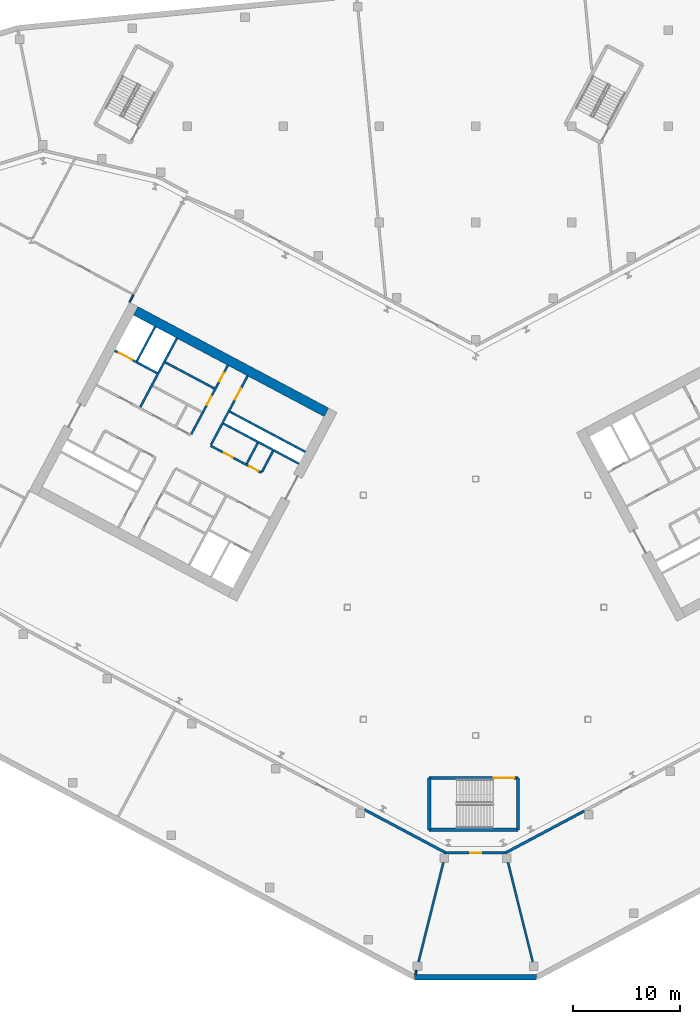
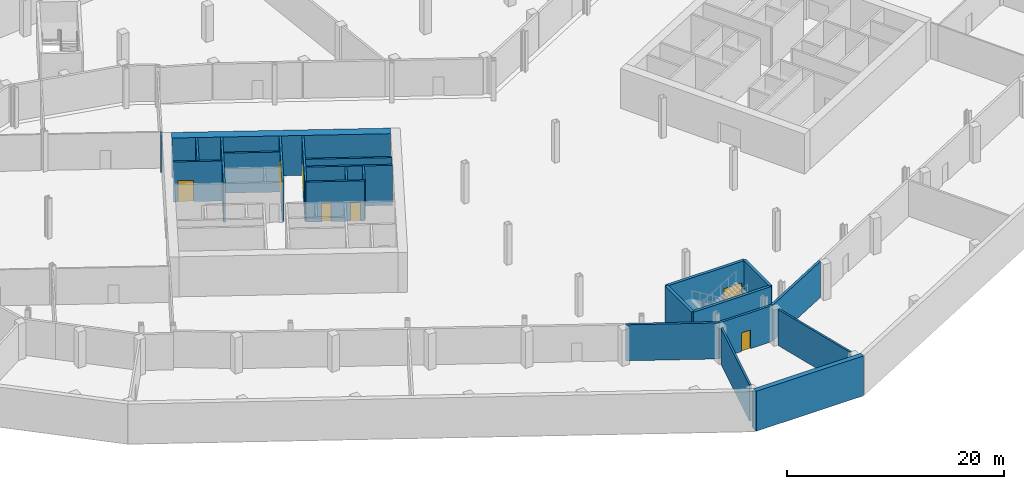
# One storey, part 10 of 27: 24 walls, 8 doors, 8 openings.
"""IFC4 building model written with IfcOpenShell, lengths in metres."""

from ifc_helpers import new_model, si_unit, direction, frame, frame_2d, origin, place, context, subcontext, project, spatial, rectangle, extrude, material, layer, layer_set, type_object, element, fill, save


model = new_model("IFC4")

# Units and contexts
model_context = context("Model", 3, precision=1e-05, world=origin(), true_north=direction((0.0, 1.0)))
body_context = subcontext(model_context, "Body", "Model", "MODEL_VIEW")
ifc_project = project(units=[si_unit("LENGTHUNIT", "METRE"), si_unit("AREAUNIT", "SQUARE_METRE"), si_unit("VOLUMEUNIT", "CUBIC_METRE"), si_unit("PLANEANGLEUNIT", "RADIAN"), si_unit("MASSUNIT", "GRAM", prefix="KILO")], contexts=[model_context])

# Site, building, storey
site_placement = place(None, origin())
site = spatial("IfcSite", under=ifc_project, at=site_placement, CompositionType="ELEMENT")
building_placement = place(site_placement, origin())
building = spatial("IfcBuilding", under=site, at=building_placement, Name="Cormorant Relay Tower", CompositionType="ELEMENT")
storey_placement = place(building_placement, frame((0.0, 0.0, -4.5)))
storey = spatial("IfcBuildingStorey", under=building, at=storey_placement, Name="B1", CompositionType="ELEMENT", Elevation=-4.5)

# Walls
ifc_material_1 = material(Name="Concrete 40 MPa", Category="concrete")
ifc_layer_1 = layer(ifc_material_1, 0.199951171875)
ifc_layer_set_1 = layer_set([ifc_layer_1], Name="Core internal wall 200")
wall_type_1 = type_object("IfcWallType", Name="Core internal wall 200", PredefinedType="SOLIDWALL", material=ifc_layer_set_1)
wall_1_placement = place(storey_placement, frame((-20.39013671875, 15.371826171875, 0.0), z_axis=(0.0, 0.0, 1.0), x_axis=(-0.4694473164, -0.882960484464, 0.0)))
element("IfcWall", 1, at=wall_1_placement, inside=storey, type_object=wall_type_1, Name="B1 core A shaft and room wall", PredefinedType="SOLIDWALL", context=body_context, shape_type="SweptSolid", body=[
    extrude(rectangle(XDim=2.199951171875, YDim=0.199951171875, at=frame_2d((1.10009765625, 0.0))), origin(), (0.0, 0.0, 1.0), 4.5),
])
wall_2_placement = place(storey_placement, frame((-24.449462890625, 20.474853515625, 0.0), z_axis=(0.0, 0.0, 1.0), x_axis=(-0.882934506056, 0.469496174655, 0.0)))
element("IfcWall", 2, at=wall_2_placement, inside=storey, type_object=wall_type_1, Name="B1 core A shaft and room wall", PredefinedType="SOLIDWALL", context=body_context, shape_type="SweptSolid", body=[
    extrude(rectangle(XDim=5.199951171875, YDim=0.199951171875, at=frame_2d((2.60009765625, 0.0))), origin(), (0.0, 0.0, 1.0), 4.5),
])
ifc_material_2 = material(Name="Concrete 50 MPa", Category="concrete")
ifc_layer_2 = layer(ifc_material_2, 0.199951171875)
ifc_layer_set_2 = layer_set([ifc_layer_2], Name="Core shaft wall 200")
wall_type_2 = type_object("IfcWallType", Name="Core shaft wall 200", PredefinedType="SHEAR", material=ifc_layer_set_2)
wall_3_placement = place(storey_placement, frame((-18.959716796875, 14.611328125, 0.0), z_axis=(0.0, 0.0, 1.0), x_axis=(-0.4694473164, -0.882960484464, 0.0)))
element("IfcWall", 3, at=wall_3_placement, inside=storey, type_object=wall_type_2, Name="B1 core A shaft wall", PredefinedType="SHEAR", context=body_context, shape_type="SweptSolid", body=[
    extrude(rectangle(XDim=2.199951171875, YDim=0.199951171875, at=frame_2d((1.10009765625, 0.0))), origin(), (0.0, 0.0, 1.0), 4.5),
])

# Wall, opening, door
wall_4_placement = place(storey_placement, frame((-21.333251953125, 21.6494140625, 0.0), z_axis=(0.0, 0.0, 1.0), x_axis=(-0.469494272526, -0.882935517501, 0.0)))
wall_4 = element("IfcWall", 4, at=wall_4_placement, inside=storey, type_object=wall_type_2, Name="B1 core A shaft wall", PredefinedType="SHEAR", context=body_context, shape_type="SweptSolid", body=[
    extrude(rectangle(XDim=7.2998046875, YDim=0.199951171875, at=frame_2d((3.64990234375, 0.0))), origin(), (0.0, 0.0, 1.0), 4.5),
])
opening_1_placement = place(wall_4_placement, frame((1.300048828125, 0.0, 0.0)))
opening_1 = element("IfcOpeningElement", 5, at=opening_1_placement, cuts=wall_4, Name="Opening CDB-001", PredefinedType="OPENING", context=body_context, shape_type="SweptSolid", body=[
    extrude(rectangle(XDim=1.199951171875, YDim=2.10009765625, at=frame_2d((0.60009765625, 1.050048828125))), frame((0.0, 0.10986328125, 0.0), z_axis=(0.0, -1.0, 0.0), x_axis=(1.0, 0.0, 0.0)), (0.0, 0.0, 1.0), 0.219970703125),
])
ifc_material_3 = material(Name="Steel fire door", Category="steel")
door_type_1 = type_object("IfcDoorType", Name="Core stair door 1200x2100", OperationType="SINGLE_SWING_LEFT", PredefinedType="DOOR", material=ifc_material_3)
door_1_placement = place(opening_1_placement, origin())
door_1 = element("IfcDoor", 6, at=door_1_placement, inside=storey, type_object=door_type_1, Name="Core stair door 1200x2100", OperationType="SINGLE_SWING_RIGHT", OverallHeight=2.10009765625, OverallWidth=1.199951171875, PredefinedType="DOOR", context=body_context, shape_type="SweptSolid", body=[
    extrude(rectangle(XDim=1.199951171875, YDim=2.10009765625, at=frame_2d((0.60009765625, 1.050048828125))), frame((0.0, 0.02490234375, 0.0), z_axis=(0.0, -1.0, 0.0), x_axis=(1.0, 0.0, 0.0)), (0.0, 0.0, 1.0), 0.050048828125),
])
fill(opening_1, door_1)

# Wall, openings, doors
wall_5_placement = place(storey_placement, frame((-23.1875, 22.635498046875, 0.0), z_axis=(0.0, 0.0, 1.0), x_axis=(-0.469454336211, -0.882956752176, 0.0)))
wall_5 = element("IfcWall", 7, at=wall_5_placement, inside=storey, type_object=wall_type_2, Name="B1 core A shaft wall", PredefinedType="SHEAR", context=body_context, shape_type="SweptSolid", body=[
    extrude(rectangle(XDim=7.300048828125, YDim=0.199951171875, at=frame_2d((3.64990234375, 0.0))), origin(), (0.0, 0.0, 1.0), 4.5),
])
opening_2_placement = place(wall_5_placement, frame((0.800048828125, 0.0, 0.0)))
opening_2 = element("IfcOpeningElement", 8, at=opening_2_placement, cuts=wall_5, Name="Opening CDD-027", PredefinedType="OPENING", context=body_context, shape_type="SweptSolid", body=[
    extrude(rectangle(XDim=0.89990234375, YDim=2.10009765625, at=frame_2d((0.449951171875, 1.050048828125))), frame((0.0, 0.10986328125, 0.0), z_axis=(0.0, -1.0, 0.0), x_axis=(1.0, 0.0, 0.0)), (0.0, 0.0, 1.0), 0.219970703125),
])
opening_3_placement = place(wall_5_placement, frame((3.300048828125, 0.0, 0.0)))
opening_3 = element("IfcOpeningElement", 9, at=opening_3_placement, cuts=wall_5, Name="Opening CDD-028", PredefinedType="OPENING", context=body_context, shape_type="SweptSolid", body=[
    extrude(rectangle(XDim=0.89990234375, YDim=2.10009765625, at=frame_2d((0.449951171875, 1.050048828125))), frame((0.0, 0.10986328125, 0.0), z_axis=(0.0, -1.0, 0.0), x_axis=(1.0, 0.0, 0.0)), (0.0, 0.0, 1.0), 0.219970703125),
])
ifc_material_4 = material(Name="Steel fire door", Category="steel")
door_type_2 = type_object("IfcDoorType", Name="Core room door 900x2100", OperationType="SINGLE_SWING_LEFT", PredefinedType="DOOR", material=ifc_material_4)
door_2_placement = place(opening_2_placement, frame((0.89990234375, 0.0, 0.0), z_axis=(0.0, 0.0, 1.0), x_axis=(-1.0, 0.0, 0.0)))
door_2 = element("IfcDoor", 10, at=door_2_placement, inside=storey, type_object=door_type_2, Name="Core room door 900x2100", OperationType="SINGLE_SWING_LEFT", OverallHeight=2.10009765625, OverallWidth=0.89990234375, PredefinedType="DOOR", context=body_context, shape_type="SweptSolid", body=[
    extrude(rectangle(XDim=0.89990234375, YDim=2.10009765625, at=frame_2d((0.449951171875, 1.050048828125))), frame((0.0, 0.02490234375, 0.0), z_axis=(0.0, -1.0, 0.0), x_axis=(1.0, 0.0, 0.0)), (0.0, 0.0, 1.0), 0.050048828125),
])
fill(opening_2, door_2)
door_3_placement = place(opening_3_placement, frame((0.89990234375, 0.0, 0.0), z_axis=(0.0, 0.0, 1.0), x_axis=(-1.0, 0.0, 0.0)))
door_3 = element("IfcDoor", 11, at=door_3_placement, inside=storey, type_object=door_type_2, Name="Core room door 900x2100", OperationType="SINGLE_SWING_RIGHT", OverallHeight=2.10009765625, OverallWidth=0.89990234375, PredefinedType="DOOR", context=body_context, shape_type="SweptSolid", body=[
    extrude(rectangle(XDim=0.89990234375, YDim=2.10009765625, at=frame_2d((0.449951171875, 1.050048828125))), frame((0.0, 0.02490234375, 0.0), z_axis=(0.0, -1.0, 0.0), x_axis=(1.0, 0.0, 0.0)), (0.0, 0.0, 1.0), 0.050048828125),
])
fill(opening_3, door_3)

# Walls
wall_6_placement = place(storey_placement, frame((-27.955322265625, 25.170654296875, 0.0), z_axis=(0.0, 0.0, 1.0), x_axis=(-0.469480409012, -0.88294288918, 0.0)))
element("IfcWall", 12, at=wall_6_placement, inside=storey, type_object=wall_type_2, Name="B1 core A shaft wall", PredefinedType="SHEAR", context=body_context, shape_type="SweptSolid", body=[
    extrude(rectangle(XDim=7.300048828125, YDim=0.199951171875, at=frame_2d((3.64990234375, 0.0))), origin(), (0.0, 0.0, 1.0), 4.5),
])
wall_7_placement = place(storey_placement, frame((-29.986083984375, 26.250244140625, 0.0), z_axis=(0.0, 0.0, 1.0), x_axis=(-0.469494272526, -0.882935517501, 0.0)))
element("IfcWall", 13, at=wall_7_placement, inside=storey, type_object=wall_type_2, Name="B1 core A shaft wall", PredefinedType="SHEAR", context=body_context, shape_type="SweptSolid", body=[
    extrude(rectangle(XDim=3.64990234375, YDim=0.199951171875, at=frame_2d((1.824951171875, 0.0))), origin(), (0.0, 0.0, 1.0), 4.5),
])
wall_8_placement = place(storey_placement, frame((-15.94189453125, 14.53564453125, 0.0), z_axis=(0.0, 0.0, 1.0), x_axis=(-0.882946947542, 0.469472776449, 0.0)))
element("IfcWall", 14, at=wall_8_placement, inside=storey, type_object=wall_type_2, Name="B1 core A shaft wall", PredefinedType="SHEAR", context=body_context, shape_type="SweptSolid", body=[
    extrude(rectangle(XDim=8.000244140625, YDim=0.199951171875, at=frame_2d((4.0, 0.0))), origin(), (0.0, 0.0, 1.0), 4.5),
])

# Wall, opening, door
wall_9_placement = place(storey_placement, frame((-29.80419921875, 21.906494140625, 0.0), z_axis=(0.0, 0.0, 1.0), x_axis=(-0.882960433586, 0.469447412093, 0.0)))
wall_9 = element("IfcWall", 15, at=wall_9_placement, inside=storey, type_object=wall_type_2, Name="B1 core A shaft wall", PredefinedType="SHEAR", context=body_context, shape_type="SweptSolid", body=[
    extrude(rectangle(XDim=4.5, YDim=0.199951171875, at=frame_2d((2.25, 0.0))), origin(), (0.0, 0.0, 1.0), 4.5),
])
opening_4_placement = place(wall_9_placement, frame((2.64990234375, 0.0, 0.0)))
opening_4 = element("IfcOpeningElement", 16, at=opening_4_placement, cuts=wall_9, Name="Opening LD3-001", PredefinedType="OPENING", context=body_context, shape_type="SweptSolid", body=[
    extrude(rectangle(XDim=1.39990234375, YDim=2.39990234375, at=frame_2d((0.699951171875, 1.199951171875))), frame((0.0, 0.10986328125, 0.0), z_axis=(0.0, -1.0, 0.0), x_axis=(1.0, 0.0, 0.0)), (0.0, 0.0, 1.0), 0.219970703125),
])
ifc_material_5 = material(Name="Stainless steel 316", Category="steel")
door_type_3 = type_object("IfcDoorType", Name="Lift landing door 1400x2400", OperationType="DOUBLE_DOOR_SLIDING", PredefinedType="DOOR", material=ifc_material_5)
door_4_placement = place(opening_4_placement, origin())
door_4 = element("IfcDoor", 17, at=door_4_placement, inside=storey, type_object=door_type_3, Name="SV1 landing door", OperationType="DOUBLE_DOOR_SLIDING", OverallHeight=2.39990234375, OverallWidth=1.39990234375, PredefinedType="DOOR", context=body_context, shape_type="SweptSolid", body=[
    extrude(rectangle(XDim=1.39990234375, YDim=2.39990234375, at=frame_2d((0.699951171875, 1.199951171875))), frame((0.0, 0.02490234375, 0.0), z_axis=(0.0, -1.0, 0.0), x_axis=(1.0, 0.0, 0.0)), (0.0, 0.0, 1.0), 0.050048828125),
])
fill(opening_4, door_4)

# Wall
wall_10_placement = place(storey_placement, frame((-16.52880859375, 13.43212890625, 0.0), z_axis=(0.0, 0.0, 1.0), x_axis=(-0.88295287151, 0.469461634952, 0.0)))
element("IfcWall", 18, at=wall_10_placement, inside=storey, type_object=wall_type_2, Name="B1 core A shaft wall", PredefinedType="SHEAR", context=body_context, shape_type="SweptSolid", body=[
    extrude(rectangle(XDim=7.999755859375, YDim=0.199951171875, at=frame_2d((4.0, 0.0))), origin(), (0.0, 0.0, 1.0), 4.5),
])

# Wall, openings, doors
wall_11_placement = place(storey_placement, frame((-20.03955078125, 12.58056640625, 0.0), z_axis=(0.0, 0.0, 1.0), x_axis=(-0.882942972946, 0.469480251476, 0.0)))
wall_11 = element("IfcWall", 19, at=wall_11_placement, inside=storey, type_object=wall_type_2, Name="B1 core A shaft wall", PredefinedType="SHEAR", context=body_context, shape_type="SweptSolid", body=[
    extrude(rectangle(XDim=5.39990234375, YDim=0.199951171875, at=frame_2d((2.699951171875, 0.0))), origin(), (0.0, 0.0, 1.0), 4.5),
])
opening_5_placement = place(wall_11_placement, frame((0.360107421875, 0.0, 0.0)))
opening_5 = element("IfcOpeningElement", 20, at=opening_5_placement, cuts=wall_11, Name="Opening CDD-021", PredefinedType="OPENING", context=body_context, shape_type="SweptSolid", body=[
    extrude(rectangle(XDim=0.89990234375, YDim=2.10009765625, at=frame_2d((0.449951171875, 1.050048828125))), frame((0.0, 0.10986328125, 0.0), z_axis=(0.0, -1.0, 0.0), x_axis=(1.0, 0.0, 0.0)), (0.0, 0.0, 1.0), 0.219970703125),
])
opening_6_placement = place(wall_11_placement, frame((3.06005859375, 0.0, 0.0)))
opening_6 = element("IfcOpeningElement", 21, at=opening_6_placement, cuts=wall_11, Name="Opening CDD-022", PredefinedType="OPENING", context=body_context, shape_type="SweptSolid", body=[
    extrude(rectangle(XDim=0.89990234375, YDim=2.10009765625, at=frame_2d((0.449951171875, 1.050048828125))), frame((0.0, 0.10986328125, 0.0), z_axis=(0.0, -1.0, 0.0), x_axis=(1.0, 0.0, 0.0)), (0.0, 0.0, 1.0), 0.219970703125),
])
door_5_placement = place(opening_5_placement, frame((0.89990234375, 0.0, 0.0), z_axis=(0.0, 0.0, 1.0), x_axis=(-1.0, 0.0, 0.0)))
door_5 = element("IfcDoor", 22, at=door_5_placement, inside=storey, type_object=door_type_2, Name="Core room door 900x2100", OperationType="SINGLE_SWING_RIGHT", OverallHeight=2.10009765625, OverallWidth=0.89990234375, PredefinedType="DOOR", context=body_context, shape_type="SweptSolid", body=[
    extrude(rectangle(XDim=0.89990234375, YDim=2.10009765625, at=frame_2d((0.449951171875, 1.050048828125))), frame((0.0, 0.02490234375, 0.0), z_axis=(0.0, -1.0, 0.0), x_axis=(1.0, 0.0, 0.0)), (0.0, 0.0, 1.0), 0.050048828125),
])
fill(opening_5, door_5)
door_6_placement = place(opening_6_placement, frame((0.89990234375, 0.0, 0.0), z_axis=(0.0, 0.0, 1.0), x_axis=(-1.0, 0.0, 0.0)))
door_6 = element("IfcDoor", 23, at=door_6_placement, inside=storey, type_object=door_type_2, Name="Core room door 900x2100", OperationType="SINGLE_SWING_RIGHT", OverallHeight=2.10009765625, OverallWidth=0.89990234375, PredefinedType="DOOR", context=body_context, shape_type="SweptSolid", body=[
    extrude(rectangle(XDim=0.89990234375, YDim=2.10009765625, at=frame_2d((0.449951171875, 1.050048828125))), frame((0.0, 0.02490234375, 0.0), z_axis=(0.0, -1.0, 0.0), x_axis=(1.0, 0.0, 0.0)), (0.0, 0.0, 1.0), 0.050048828125),
])
fill(opening_6, door_6)

# Walls
ifc_material_6 = material(Name="Concrete 70 MPa", Category="concrete")
ifc_layer_3 = layer(ifc_material_6, 0.89990234375)
ifc_layer_set_3 = layer_set([ifc_layer_3], Name="Core wall 900")
wall_type_3 = type_object("IfcWallType", Name="Core wall 900", PredefinedType="SHEAR", material=ifc_layer_set_3)
wall_12_placement = place(storey_placement, frame((-13.97021484375, 18.244140625, 0.0), z_axis=(0.0, 0.0, 1.0), x_axis=(-0.88294509198, 0.469476266226, 0.0)))
element("IfcWall", 24, at=wall_12_placement, inside=storey, type_object=wall_type_3, Name="B1 core A wall", PredefinedType="SHEAR", context=body_context, shape_type="SweptSolid", body=[
    extrude(rectangle(XDim=20.199951171875, YDim=0.89990234375, at=frame_2d((10.10009765625, 0.0))), origin(), (0.0, 0.0, 1.0), 4.5),
])
ifc_material_7 = material(Name="Concrete masonry 20 MPa", Category="masonry")
ifc_layer_4 = layer(ifc_material_7, 0.25)
ifc_layer_set_4 = layer_set([ifc_layer_4], Name="Fire separation wall 250")
wall_type_4 = type_object("IfcWallType", Name="Fire separation wall 250", PredefinedType="SOLIDWALL", material=ifc_layer_set_4)
wall_13_placement = place(storey_placement, frame((10.1650390625, -19.057373046875, 0.0), z_axis=(0.0, 0.0, 1.0), x_axis=(-0.882987691761, -0.469396139949, 0.0)))
element("IfcWall", 25, at=wall_13_placement, inside=storey, type_object=wall_type_4, Name="Partition", PredefinedType="SOLIDWALL", context=body_context, shape_type="SweptSolid", body=[
    extrude(rectangle(XDim=8.347412109375, YDim=0.25, at=frame_2d((4.173828125, 0.0))), origin(), (0.0, 0.0, 1.0), 4.050048828125),
])
wall_14_placement = place(storey_placement, frame((-2.79443359375, -22.9755859375, 0.0), z_axis=(0.0, 0.0, 1.0), x_axis=(-0.882976758677, 0.469416705749, 0.0)))
element("IfcWall", 26, at=wall_14_placement, inside=storey, type_object=wall_type_4, Name="Partition", PredefinedType="SOLIDWALL", context=body_context, shape_type="SweptSolid", body=[
    extrude(rectangle(XDim=8.623779296875, YDim=0.25, at=frame_2d((4.31201171875, 0.0))), origin(), (0.0, 0.0, 1.0), 4.050048828125),
])

# Wall, opening, door
wall_15_placement = place(storey_placement, frame((2.802001953125, -22.9736328125, 0.0), z_axis=(0.0, 0.0, 1.0), x_axis=(-1.0, 0.0, 0.0)))
wall_15 = element("IfcWall", 27, at=wall_15_placement, inside=storey, type_object=wall_type_4, Name="Partition", PredefinedType="SOLIDWALL", context=body_context, shape_type="SweptSolid", body=[
    extrude(rectangle(XDim=5.60400390625, YDim=0.25, at=frame_2d((2.802001953125, 0.0))), origin(), (0.0, 0.0, 1.0), 4.050048828125),
])
opening_7_placement = place(wall_15_placement, frame((2.302001953125, 0.0, 0.0)))
opening_7 = element("IfcOpeningElement", 28, at=opening_7_placement, cuts=wall_15, Name="Opening PD1-033", PredefinedType="OPENING", context=body_context, shape_type="SweptSolid", body=[
    extrude(rectangle(XDim=1.0, YDim=2.10009765625, at=frame_2d((0.5, 1.050048828125))), frame((0.0, 0.135009765625, 0.0), z_axis=(0.0, -1.0, 0.0), x_axis=(1.0, 0.0, 0.0)), (0.0, 0.0, 1.0), 0.27001953125),
])
ifc_material_8 = material(Name="Steel door leaf", Category="steel")
door_type_4 = type_object("IfcDoorType", Name="Door single 1000", OperationType="SINGLE_SWING_LEFT", PredefinedType="DOOR", material=ifc_material_8)
door_7_placement = place(opening_7_placement, origin())
door_7 = element("IfcDoor", 29, at=door_7_placement, inside=storey, type_object=door_type_4, Name="Door", OperationType="SINGLE_SWING_LEFT", OverallHeight=2.10009765625, OverallWidth=1.0, PredefinedType="DOOR", context=body_context, shape_type="SweptSolid", body=[
    extrude(rectangle(XDim=1.0, YDim=2.10009765625, at=frame_2d((0.5, 1.050048828125))), frame((0.0, 0.02490234375, 0.0), z_axis=(0.0, -1.0, 0.0), x_axis=(1.0, 0.0, 0.0)), (0.0, 0.0, 1.0), 0.050048828125),
])
fill(opening_7, door_7)

# Walls
ifc_material_9 = material(Name="Gypsum board on steel stud", Category="steel")
ifc_layer_5 = layer(ifc_material_9, 0.14990234375)
ifc_layer_set_5 = layer_set([ifc_layer_5], Name="Partition 150")
wall_type_5 = type_object("IfcWallType", Name="Partition 150", PredefinedType="PARTITIONING", material=ifc_layer_set_5)
wall_16_placement = place(storey_placement, frame((-32.38916015625, 28.54736328125, 0.0), z_axis=(0.0, 0.0, 1.0), x_axis=(0.469582372655, 0.882888665287, 0.0)))
element("IfcWall", 30, at=wall_16_placement, inside=storey, type_object=wall_type_5, Name="Partition", PredefinedType="PARTITIONING", context=body_context, shape_type="SweptSolid", body=[
    extrude(rectangle(XDim=0.7939453125, YDim=0.14990234375, at=frame_2d((0.39697265625, 0.0))), origin(), (0.0, 0.0, 1.0), 4.050048828125),
])
ifc_material_10 = material(Name="Concrete masonry 20 MPa", Category="masonry")
ifc_layer_6 = layer(ifc_material_10, 0.199951171875)
ifc_layer_set_6 = layer_set([ifc_layer_6], Name="Plant room wall 200")
wall_type_6 = type_object("IfcWallType", Name="Plant room wall 200", PredefinedType="PARTITIONING", material=ifc_layer_set_6)
wall_17_placement = place(storey_placement, frame((3.02294921875, -23.8759765625, 0.0), z_axis=(0.0, 0.0, 1.0), x_axis=(0.241930250256, -0.970293643188, 0.0)))
element("IfcWall", 31, at=wall_17_placement, inside=storey, type_object=wall_type_6, Name="Partition", PredefinedType="PARTITIONING", context=body_context, shape_type="SweptSolid", body=[
    extrude(rectangle(XDim=9.584716796875, YDim=0.199951171875, at=frame_2d((4.79248046875, 0.0))), origin(), (0.0, 0.0, 1.0), 4.050048828125),
])
wall_18_placement = place(storey_placement, frame((-5.634765625, -34.351318359375, 0.0), z_axis=(0.0, 0.0, 1.0), x_axis=(0.241792832925, 0.970327896098, 0.0)))
element("IfcWall", 32, at=wall_18_placement, inside=storey, type_object=wall_type_6, Name="Partition", PredefinedType="PARTITIONING", context=body_context, shape_type="SweptSolid", body=[
    extrude(rectangle(XDim=0.38671875, YDim=0.199951171875, at=frame_2d((0.193359375, 0.0))), origin(), (0.0, 0.0, 1.0), 4.050048828125),
])
wall_19_placement = place(storey_placement, frame((-5.341796875, -33.176025390625, 0.0), z_axis=(0.0, 0.0, 1.0), x_axis=(0.241930250256, 0.970293643188, 0.0)))
element("IfcWall", 33, at=wall_19_placement, inside=storey, type_object=wall_type_6, Name="Partition", PredefinedType="PARTITIONING", context=body_context, shape_type="SweptSolid", body=[
    extrude(rectangle(XDim=9.584716796875, YDim=0.199951171875, at=frame_2d((4.79248046875, 0.0))), origin(), (0.0, 0.0, 1.0), 4.050048828125),
])
ifc_material_11 = material(Name="Concrete 50 MPa", Category="concrete")
ifc_layer_7 = layer(ifc_material_11, 0.300048828125)
ifc_layer_set_7 = layer_set([ifc_layer_7], Name="Remote stair wall 300")
wall_type_7 = type_object("IfcWallType", Name="Remote stair wall 300", PredefinedType="SHEAR", material=ifc_layer_set_7)
wall_20_placement = place(storey_placement, frame((3.949951171875, -15.97509765625, 0.0), z_axis=(0.0, 0.0, 1.0), x_axis=(0.0, -1.0, 0.0)))
element("IfcWall", 34, at=wall_20_placement, inside=storey, type_object=wall_type_7, Name="B1 exit stair RK1 wall", PredefinedType="SHEAR", context=body_context, shape_type="SweptSolid", body=[
    extrude(rectangle(XDim=4.849853515625, YDim=0.300048828125, at=frame_2d((2.4248046875, 0.0))), origin(), (0.0, 0.0, 1.0), 4.5),
])
wall_21_placement = place(storey_placement, frame((3.949951171875, -20.824951171875, 0.0), z_axis=(0.0, 0.0, 1.0), x_axis=(-1.0, 0.0, 0.0)))
element("IfcWall", 35, at=wall_21_placement, inside=storey, type_object=wall_type_7, Name="B1 exit stair RK1 wall", PredefinedType="SHEAR", context=body_context, shape_type="SweptSolid", body=[
    extrude(rectangle(XDim=8.300048828125, YDim=0.300048828125, at=frame_2d((4.14990234375, 0.0))), origin(), (0.0, 0.0, 1.0), 4.5),
])
wall_22_placement = place(storey_placement, frame((-4.35009765625, -20.824951171875, 0.0), z_axis=(0.0, 0.0, 1.0), x_axis=(0.0, 1.0, 0.0)))
element("IfcWall", 36, at=wall_22_placement, inside=storey, type_object=wall_type_7, Name="B1 exit stair RK1 wall", PredefinedType="SHEAR", context=body_context, shape_type="SweptSolid", body=[
    extrude(rectangle(XDim=4.849853515625, YDim=0.300048828125, at=frame_2d((2.4248046875, 0.0))), origin(), (0.0, 0.0, 1.0), 4.5),
])

# Wall, opening, door
wall_23_placement = place(storey_placement, frame((-4.35009765625, -15.97509765625, 0.0), z_axis=(0.0, 0.0, 1.0), x_axis=(1.0, 0.0, 0.0)))
wall_23 = element("IfcWall", 37, at=wall_23_placement, inside=storey, type_object=wall_type_7, Name="B1 exit stair RK1 wall", PredefinedType="SHEAR", context=body_context, shape_type="SweptSolid", body=[
    extrude(rectangle(XDim=8.300048828125, YDim=0.300048828125, at=frame_2d((4.14990234375, 0.0))), origin(), (0.0, 0.0, 1.0), 4.5),
])
opening_8_placement = place(wall_23_placement, frame((6.050048828125, 0.0, 0.0)))
opening_8 = element("IfcOpeningElement", 38, at=opening_8_placement, cuts=wall_23, Name="Opening CDE-001", PredefinedType="OPENING", context=body_context, shape_type="SweptSolid", body=[
    extrude(rectangle(XDim=1.89990234375, YDim=2.10009765625, at=frame_2d((0.949951171875, 1.050048828125))), frame((0.0, 0.159912109375, 0.0), z_axis=(0.0, -1.0, 0.0), x_axis=(1.0, 0.0, 0.0)), (0.0, 0.0, 1.0), 0.320068359375),
])
ifc_material_12 = material(Name="Steel fire door", Category="steel")
door_type_5 = type_object("IfcDoorType", Name="Remote stair door 1900x2100", OperationType="DOUBLE_DOOR_SINGLE_SWING", PredefinedType="DOOR", material=ifc_material_12)
door_8_placement = place(opening_8_placement, origin())
door_8 = element("IfcDoor", 39, at=door_8_placement, inside=storey, type_object=door_type_5, Name="Exit stair RK1 door", OperationType="DOUBLE_DOOR_SINGLE_SWING", OverallHeight=2.10009765625, OverallWidth=1.89990234375, PredefinedType="DOOR", context=body_context, shape_type="SweptSolid", body=[
    extrude(rectangle(XDim=1.89990234375, YDim=2.10009765625, at=frame_2d((0.949951171875, 1.050048828125))), frame((0.0, 0.02490234375, 0.0), z_axis=(0.0, -1.0, 0.0), x_axis=(1.0, 0.0, 0.0)), (0.0, 0.0, 1.0), 0.050048828125),
])
fill(opening_8, door_8)

# Wall
ifc_material_13 = material(Name="Concrete 40 MPa", Category="concrete")
ifc_layer_8 = layer(ifc_material_13, 0.5)
ifc_layer_set_8 = layer_set([ifc_layer_8], Name="Retaining wall 500")
wall_type_8 = type_object("IfcWallType", Name="Retaining wall 500", PredefinedType="SOLIDWALL", material=ifc_layer_set_8)
wall_24_placement = place(storey_placement, frame((-5.703125, -34.62548828125, 0.0), z_axis=(0.0, 0.0, 1.0), x_axis=(1.0, 0.0, 0.0)))
element("IfcWall", 40, at=wall_24_placement, inside=storey, type_object=wall_type_8, Name="Retaining wall", PredefinedType="SOLIDWALL", context=body_context, shape_type="SweptSolid", body=[
    extrude(rectangle(XDim=11.40625, YDim=0.5, at=frame_2d((5.703125, 0.0))), origin(), (0.0, 0.0, 1.0), 4.5),
])

save(model, "model.ifc")
